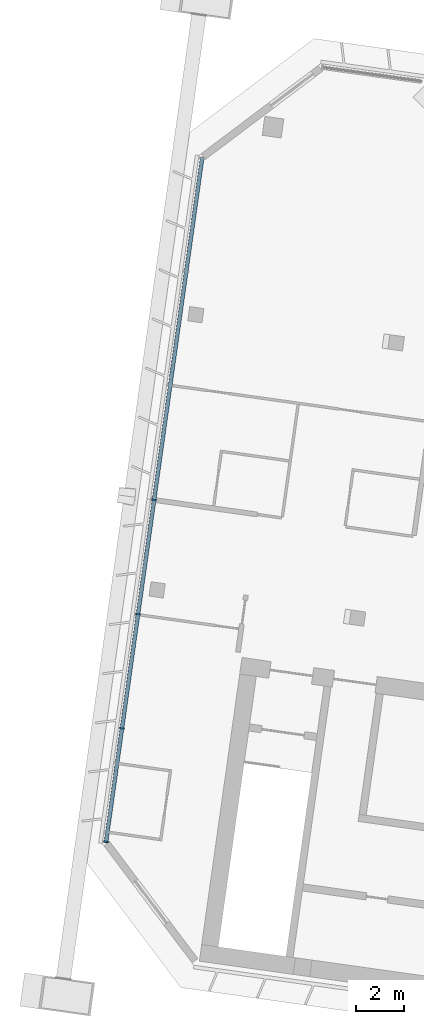
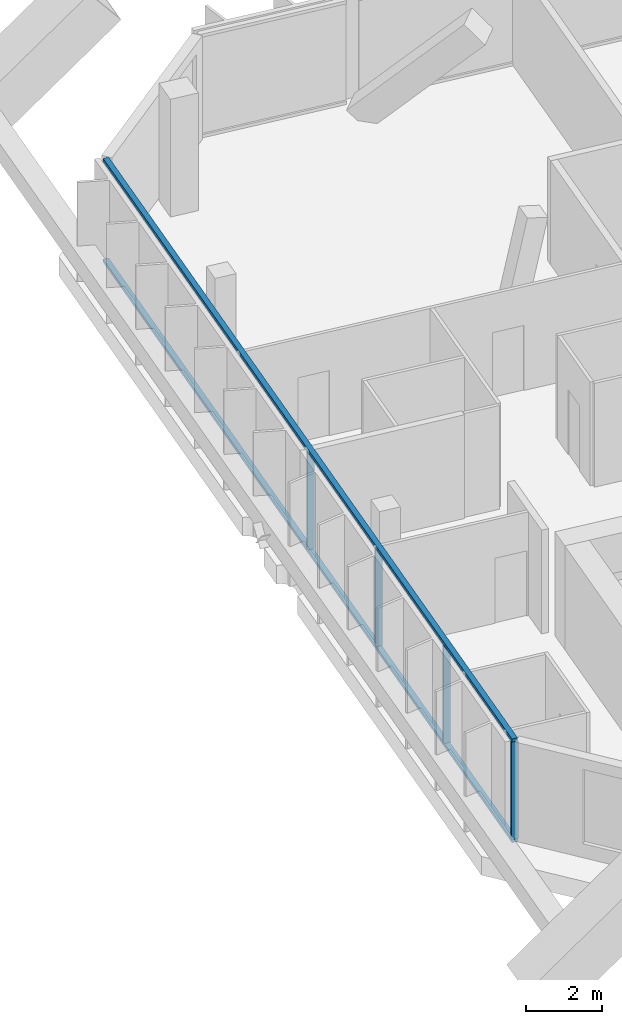
# One storey, part 2 of 32: 6 members, 1 element without a shape of its own.
"""IFC4 building model written with IfcOpenShell, lengths in metres."""

from ifc_helpers import new_model, si_unit, direction, frame, origin, origin_2d, place, context, subcontext, project, spatial, rectangle, extrude, material, material_profile, profile_set, type_object, element, aggregate, save


model = new_model("IFC4")

# Units and contexts
model_context = context("Model", 3, precision=1e-05, world=origin(), true_north=direction((0.0, 1.0)))
body_context = subcontext(model_context, "Body", "Model", "MODEL_VIEW")
ifc_project = project(units=[si_unit("LENGTHUNIT", "METRE"), si_unit("AREAUNIT", "SQUARE_METRE"), si_unit("VOLUMEUNIT", "CUBIC_METRE"), si_unit("PLANEANGLEUNIT", "RADIAN"), si_unit("MASSUNIT", "GRAM", prefix="KILO")], contexts=[model_context])

# Site, building, storey
site_placement = place(None, origin())
site = spatial("IfcSite", under=ifc_project, at=site_placement, CompositionType="ELEMENT")
building_placement = place(site_placement, origin())
building = spatial("IfcBuilding", under=site, at=building_placement, Name="Mirante Cascada Hotel Towers", CompositionType="ELEMENT")
storey_placement = place(building_placement, frame((0.0, 0.0, 176.4)))
storey = spatial("IfcBuildingStorey", under=building, at=storey_placement, Name="L41", CompositionType="ELEMENT", Elevation=176.4)

# Curtain wall, members
ifc_material_1 = material(Name="Aluminium mullion and transom frame with clear laminated glass", Category="aluminium")
curtain_wall_type = type_object("IfcCurtainWallType", Name="End ribbon curtain wall ECW2", PredefinedType="NOTDEFINED", material=ifc_material_1)
curtain_wall_placement = place(storey_placement, origin())
curtain_wall = element("IfcCurtainWall", 1, at=curtain_wall_placement, inside=storey, type_object=curtain_wall_type, Name="Outer end wall T1 L41", PredefinedType="NOTDEFINED")
ifc_material_2 = material(Name="Anodised aluminium extrusion", Category="aluminium")
ifc_material_profile_1 = material_profile(ifc_material_2, rectangle(XDim=0.2, YDim=0.065, at=origin_2d()), Name="ECW2 MULLION 65x200")
ifc_profile_set_1 = profile_set([ifc_material_profile_1], Name="Anodised aluminium extrusion")
member_type_1 = type_object("IfcMemberType", Name="ECW2 mullion 65x200", PredefinedType="MULLION", material=ifc_profile_set_1)
member_1_placement = place(storey_placement, frame((-94.2432, -7.5181, 0.1), z_axis=(0.0, 0.0, 1.0), x_axis=(-0.9902681, 0.1391731, 0.0)))
member_1 = element("IfcMember", 2, at=member_1_placement, type_object=member_type_1, Name="ECW2 mullion 1", PredefinedType="MULLION", context=body_context, shape_type="SweptSolid", body=[
    extrude(rectangle(XDim=0.2, YDim=0.065, at=origin_2d()), origin(), (0.0, 0.0, 1.0), 3.15),
])
member_2_placement = place(storey_placement, frame((-93.5779, -2.7845, 0.1), z_axis=(0.0, 0.0, 1.0), x_axis=(-0.9902681, 0.1391731, 0.0)))
member_2 = element("IfcMember", 3, at=member_2_placement, type_object=member_type_1, Name="ECW2 mullion 2", PredefinedType="MULLION", context=body_context, shape_type="SweptSolid", body=[
    extrude(rectangle(XDim=0.2, YDim=0.065, at=origin_2d()), origin(), (0.0, 0.0, 1.0), 3.15),
])
member_3_placement = place(storey_placement, frame((-92.9081, 1.9812, 0.1), z_axis=(0.0, 0.0, 1.0), x_axis=(-0.9902681, 0.1391731, 0.0)))
member_3 = element("IfcMember", 4, at=member_3_placement, type_object=member_type_1, Name="ECW2 mullion 3", PredefinedType="MULLION", context=body_context, shape_type="SweptSolid", body=[
    extrude(rectangle(XDim=0.2, YDim=0.065, at=origin_2d()), origin(), (0.0, 0.0, 1.0), 3.15),
])
member_4_placement = place(storey_placement, frame((-92.2383, 6.747, 0.1), z_axis=(0.0, 0.0, 1.0), x_axis=(-0.9902681, 0.1391731, 0.0)))
member_4 = element("IfcMember", 5, at=member_4_placement, type_object=member_type_1, Name="ECW2 mullion 4", PredefinedType="MULLION", context=body_context, shape_type="SweptSolid", body=[
    extrude(rectangle(XDim=0.2, YDim=0.065, at=origin_2d()), origin(), (0.0, 0.0, 1.0), 3.15),
])
ifc_material_3 = material(Name="Anodised aluminium extrusion", Category="aluminium")
ifc_material_profile_2 = material_profile(ifc_material_3, rectangle(XDim=0.16, YDim=0.1, at=origin_2d()), Name="ECW2 TRANSOM 100x160")
ifc_profile_set_2 = profile_set([ifc_material_profile_2], Name="Anodised aluminium extrusion")
member_type_2 = type_object("IfcMemberType", Name="ECW2 transom 100x160", PredefinedType="USERDEFINED", material=ifc_profile_set_2)
member_5_placement = place(storey_placement, frame((-94.2477, -7.5503, 0.05), z_axis=(0.1391723, 0.9902682, 0.0), x_axis=(-0.9902682, 0.1391723, 0.0)))
member_5 = element("IfcMember", 6, at=member_5_placement, type_object=member_type_2, Name="ECW2 sill transom", ObjectType="TRANSOM", PredefinedType="USERDEFINED", context=body_context, shape_type="SweptSolid", body=[
    extrude(rectangle(XDim=0.16, YDim=0.1, at=origin_2d()), origin(), (0.0, 0.0, 1.0), 28.8757),
])
member_6_placement = place(storey_placement, frame((-94.2477, -7.5503, 3.3), z_axis=(0.1391723, 0.9902682, 0.0), x_axis=(-0.9902682, 0.1391723, 0.0)))
member_6 = element("IfcMember", 7, at=member_6_placement, type_object=member_type_2, Name="ECW2 head transom", ObjectType="TRANSOM", PredefinedType="USERDEFINED", context=body_context, shape_type="SweptSolid", body=[
    extrude(rectangle(XDim=0.16, YDim=0.1, at=origin_2d()), origin(), (0.0, 0.0, 1.0), 28.8757),
])
aggregate(curtain_wall, [member_5, member_6, member_1, member_2, member_3, member_4])

save(model, "model.ifc")
